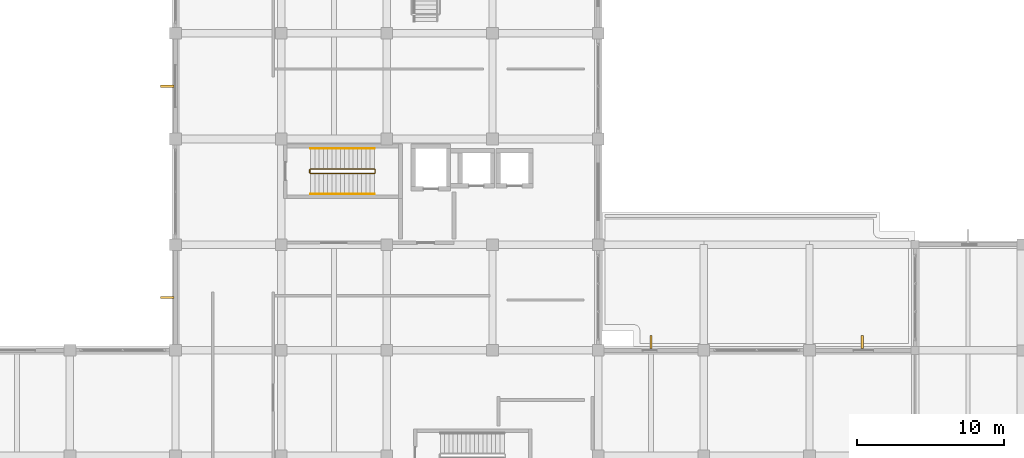
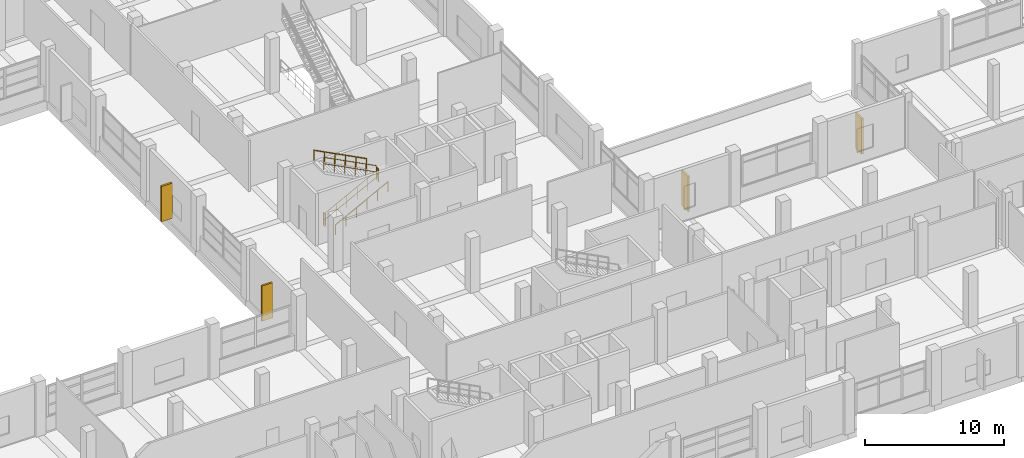
# One storey, part 136 of 140: 6 railings, 4 shading devices.
"""IFC4 building model written with IfcOpenShell, lengths in metres."""

from ifc_helpers import new_model, si_unit, direction, frame, origin, origin_2d, place, context, subcontext, project, spatial, rectangle, circle, extrude, material, type_object, element, save


model = new_model("IFC4")

# Units and contexts
model_context = context("Model", 3, precision=1e-05, world=origin(), true_north=direction((0.0, 1.0)))
body_context = subcontext(model_context, "Body", "Model", "MODEL_VIEW")
ifc_project = project(units=[si_unit("LENGTHUNIT", "METRE"), si_unit("AREAUNIT", "SQUARE_METRE"), si_unit("VOLUMEUNIT", "CUBIC_METRE"), si_unit("PLANEANGLEUNIT", "RADIAN"), si_unit("MASSUNIT", "GRAM", prefix="KILO")], contexts=[model_context])

# Site, building, storey
site_placement = place(None, origin())
site = spatial("IfcSite", under=ifc_project, at=site_placement, CompositionType="ELEMENT")
building_placement = place(site_placement, origin())
building = spatial("IfcBuilding", under=site, at=building_placement, Name="Seraya Terrace Polytechnic", CompositionType="ELEMENT")
storey_placement = place(building_placement, frame((0.0, 0.0, 9.60009765625)))
storey = spatial("IfcBuildingStorey", under=building, at=storey_placement, Name="L02", CompositionType="ELEMENT", Elevation=9.60009765625)

# Shading devices
ifc_material_1 = material(Name="Precast concrete C40/50", Category="concrete")
shading_device_type = type_object("IfcShadingDeviceType", Name="BS-F1", PredefinedType="JALOUSIE", material=ifc_material_1)
for number, where, z_axis, x_axis, name in (
    (1, (111.60009765625, 29.3701171875, 0.449951171875), (0.0, 0.0, 1.0), (0.0, 1.0, 0.0), "Precast concrete brise-soleil fin L02"),
    (2, (126.0, 29.3701171875, 0.449951171875), (0.0, 0.0, 1.0), (0.0, 1.0, 0.0), "Precast concrete brise-soleil fin L02"),
    (3, (78.6298828125, 32.39990234375, 0.449951171875), (0.0, 0.0, 1.0), (-1.0, 0.0, 0.0), "Precast concrete brise-soleil fin L02"),
    (4, (78.6298828125, 46.800048828125, 0.449951171875), (0.0, 0.0, 1.0), (-1.0, 0.0, 0.0), "Precast concrete brise-soleil fin L02"),
):
    element("IfcShadingDevice", number, at=place(storey_placement, frame(where, z_axis=z_axis, x_axis=x_axis)), inside=storey, type_object=shading_device_type, Name=name, PredefinedType="JALOUSIE", context=body_context, shape_type="SweptSolid", body=[
        extrude(rectangle(XDim=0.89990234375, YDim=0.14990234375, at=origin_2d()), origin(), (0.0, 0.0, 1.0), 3.10009765625),
    ])

# Railings
ifc_material_2 = material(Name="Steel S355J2", Category="steel")
railing_type_1 = type_object("IfcRailingType", Name="GR-02", PredefinedType="GUARDRAIL", material=ifc_material_2)
railing_1_placement = place(storey_placement, frame((88.39990234375, 40.85009765625, 0.14990234375)))
element("IfcRailing", 5, at=railing_1_placement, inside=storey, type_object=railing_type_1, Name="L02 ST-02 stair guard 1", PredefinedType="GUARDRAIL", context=body_context, shape_type="SweptSolid", body=[
    extrude(circle(Radius=0.02392578125, at=origin_2d()), frame((0.0, 0.0, 1.10595703125), z_axis=(0.888221851817, 0.0, 0.459414782038), x_axis=(0.0, 1.0, 0.0)), (0.0, 0.0, 1.0), 4.8974609375),
    extrude(circle(Radius=0.02392578125, at=origin_2d()), frame((0.0, 0.0, 0.550048828125), z_axis=(0.888221851817, 0.0, 0.459414782038), x_axis=(0.0, 1.0, 0.0)), (0.0, 0.0, 1.0), 4.8974609375),
    extrude(circle(Radius=0.02099609375, at=origin_2d()), origin(), (0.0, 0.0, 1.0), 1.081787109375),
    extrude(circle(Radius=0.02099609375, at=origin_2d()), frame((0.8701171875, 0.0, 0.449951171875)), (0.0, 0.0, 1.0), 1.081787109375),
    extrude(circle(Radius=0.02099609375, at=origin_2d()), frame((1.739990234375, 0.0, 0.89990234375)), (0.0, 0.0, 1.0), 1.081787109375),
    extrude(circle(Radius=0.02099609375, at=origin_2d()), frame((2.610107421875, 0.0, 1.35009765625)), (0.0, 0.0, 1.0), 1.081787109375),
    extrude(circle(Radius=0.02099609375, at=origin_2d()), frame((3.47998046875, 0.0, 1.800048828125)), (0.0, 0.0, 1.0), 1.081787109375),
    extrude(circle(Radius=0.02099609375, at=origin_2d()), frame((4.35009765625, 0.0, 2.25)), (0.0, 0.0, 1.0), 1.081787109375),
])
railing_2_placement = place(storey_placement, frame((92.800048828125, 40.89990234375, 2.39990234375)))
element("IfcRailing", 6, at=railing_2_placement, inside=storey, type_object=railing_type_1, Name="L02 ST-02 stair guard 2", PredefinedType="GUARDRAIL", context=body_context, shape_type="SweptSolid", body=[
    extrude(circle(Radius=0.02392578125, at=origin_2d()), frame((0.0, 0.0, 1.10595703125), z_axis=(0.0, 1.0, 0.0), x_axis=(-1.0, 0.0, 0.0)), (0.0, 0.0, 1.0), 0.2001953125),
    extrude(circle(Radius=0.02392578125, at=origin_2d()), frame((0.0, 0.0, 0.550048828125), z_axis=(0.0, 1.0, 0.0), x_axis=(-1.0, 0.0, 0.0)), (0.0, 0.0, 1.0), 0.2001953125),
    extrude(circle(Radius=0.02099609375, at=origin_2d()), origin(), (0.0, 0.0, 1.0), 1.081787109375),
    extrude(circle(Radius=0.02099609375, at=origin_2d()), frame((0.0, 0.2001953125, 0.0)), (0.0, 0.0, 1.0), 1.081787109375),
])
railing_3_placement = place(storey_placement, frame((92.75, 41.14990234375, 2.5498046875)))
element("IfcRailing", 7, at=railing_3_placement, inside=storey, type_object=railing_type_1, Name="L02 ST-02 stair guard 3", PredefinedType="GUARDRAIL", context=body_context, shape_type="SweptSolid", body=[
    extrude(circle(Radius=0.02392578125, at=origin_2d()), frame((0.0, 0.0, 1.10595703125), z_axis=(-0.888221851817, 0.0, 0.459414782038), x_axis=(0.0, -1.0, 0.0)), (0.0, 0.0, 1.0), 4.8974609375),
    extrude(circle(Radius=0.02392578125, at=origin_2d()), frame((0.0, 0.0, 0.550048828125), z_axis=(-0.888221851817, 0.0, 0.459414782038), x_axis=(0.0, -1.0, 0.0)), (0.0, 0.0, 1.0), 4.8974609375),
    extrude(circle(Radius=0.02099609375, at=origin_2d()), origin(), (0.0, 0.0, 1.0), 1.081787109375),
    extrude(circle(Radius=0.02099609375, at=origin_2d()), frame((-0.8701171875, 0.0, 0.449951171875)), (0.0, 0.0, 1.0), 1.081787109375),
    extrude(circle(Radius=0.02099609375, at=origin_2d()), frame((-1.739990234375, 0.0, 0.89990234375)), (0.0, 0.0, 1.0), 1.081787109375),
    extrude(circle(Radius=0.02099609375, at=origin_2d()), frame((-2.610107421875, 0.0, 1.35009765625)), (0.0, 0.0, 1.0), 1.081787109375),
    extrude(circle(Radius=0.02099609375, at=origin_2d()), frame((-3.47998046875, 0.0, 1.800048828125)), (0.0, 0.0, 1.0), 1.081787109375),
    extrude(circle(Radius=0.02099609375, at=origin_2d()), frame((-4.35009765625, 0.0, 2.25)), (0.0, 0.0, 1.0), 1.081787109375),
])
railing_4_placement = place(storey_placement, frame((88.35009765625, 40.89990234375, 0.0)))
element("IfcRailing", 8, at=railing_4_placement, inside=storey, type_object=railing_type_1, Name="L02 ST-02 stair guard 4", PredefinedType="GUARDRAIL", context=body_context, shape_type="SweptSolid", body=[
    extrude(circle(Radius=0.02392578125, at=origin_2d()), frame((0.0, 0.0, 1.10595703125), z_axis=(0.0, 1.0, 0.0), x_axis=(-1.0, 0.0, 0.0)), (0.0, 0.0, 1.0), 0.2001953125),
    extrude(circle(Radius=0.02392578125, at=origin_2d()), frame((0.0, 0.0, 0.550048828125), z_axis=(0.0, 1.0, 0.0), x_axis=(-1.0, 0.0, 0.0)), (0.0, 0.0, 1.0), 0.2001953125),
    extrude(circle(Radius=0.02099609375, at=origin_2d()), origin(), (0.0, 0.0, 1.0), 1.081787109375),
    extrude(circle(Radius=0.02099609375, at=origin_2d()), frame((0.0, 0.2001953125, 0.0)), (0.0, 0.0, 1.0), 1.081787109375),
])
railing_type_2 = type_object("IfcRailingType", Name="HR-01", PredefinedType="HANDRAIL", material=ifc_material_2)
railing_5_placement = place(storey_placement, frame((88.39990234375, 39.449951171875, 0.14990234375)))
element("IfcRailing", 9, at=railing_5_placement, inside=storey, type_object=railing_type_2, Name="L02 ST-02 stair handrail 1", PredefinedType="HANDRAIL", context=body_context, shape_type="SweptSolid", body=[
    extrude(circle(Radius=0.02392578125, at=origin_2d()), frame((0.0, 0.0, 0.8759765625), z_axis=(0.888221851817, 0.0, 0.459414782038), x_axis=(0.0, 1.0, 0.0)), (0.0, 0.0, 1.0), 4.8974609375),
    extrude(circle(Radius=0.02099609375, at=origin_2d()), origin(), (0.0, 0.0, 1.0), 0.851806640625),
    extrude(circle(Radius=0.02099609375, at=origin_2d()), frame((0.8701171875, 0.0, 0.449951171875)), (0.0, 0.0, 1.0), 0.851806640625),
    extrude(circle(Radius=0.02099609375, at=origin_2d()), frame((1.739990234375, 0.0, 0.89990234375)), (0.0, 0.0, 1.0), 0.851806640625),
    extrude(circle(Radius=0.02099609375, at=origin_2d()), frame((2.610107421875, 0.0, 1.35009765625)), (0.0, 0.0, 1.0), 0.851806640625),
    extrude(circle(Radius=0.02099609375, at=origin_2d()), frame((3.47998046875, 0.0, 1.800048828125)), (0.0, 0.0, 1.0), 0.851806640625),
    extrude(circle(Radius=0.02099609375, at=origin_2d()), frame((4.35009765625, 0.0, 2.25)), (0.0, 0.0, 1.0), 0.851806640625),
])
railing_6_placement = place(storey_placement, frame((92.75, 42.550048828125, 2.5498046875)))
element("IfcRailing", 10, at=railing_6_placement, inside=storey, type_object=railing_type_2, Name="L02 ST-02 stair handrail 2", PredefinedType="HANDRAIL", context=body_context, shape_type="SweptSolid", body=[
    extrude(circle(Radius=0.02392578125, at=origin_2d()), frame((0.0, 0.0, 0.8759765625), z_axis=(-0.888221851817, 0.0, 0.459414782038), x_axis=(0.0, -1.0, 0.0)), (0.0, 0.0, 1.0), 4.8974609375),
    extrude(circle(Radius=0.02099609375, at=origin_2d()), origin(), (0.0, 0.0, 1.0), 0.851806640625),
    extrude(circle(Radius=0.02099609375, at=origin_2d()), frame((-0.8701171875, 0.0, 0.449951171875)), (0.0, 0.0, 1.0), 0.851806640625),
    extrude(circle(Radius=0.02099609375, at=origin_2d()), frame((-1.739990234375, 0.0, 0.89990234375)), (0.0, 0.0, 1.0), 0.851806640625),
    extrude(circle(Radius=0.02099609375, at=origin_2d()), frame((-2.610107421875, 0.0, 1.35009765625)), (0.0, 0.0, 1.0), 0.851806640625),
    extrude(circle(Radius=0.02099609375, at=origin_2d()), frame((-3.47998046875, 0.0, 1.800048828125)), (0.0, 0.0, 1.0), 0.851806640625),
    extrude(circle(Radius=0.02099609375, at=origin_2d()), frame((-4.35009765625, 0.0, 2.25)), (0.0, 0.0, 1.0), 0.851806640625),
])

save(model, "model.ifc")
